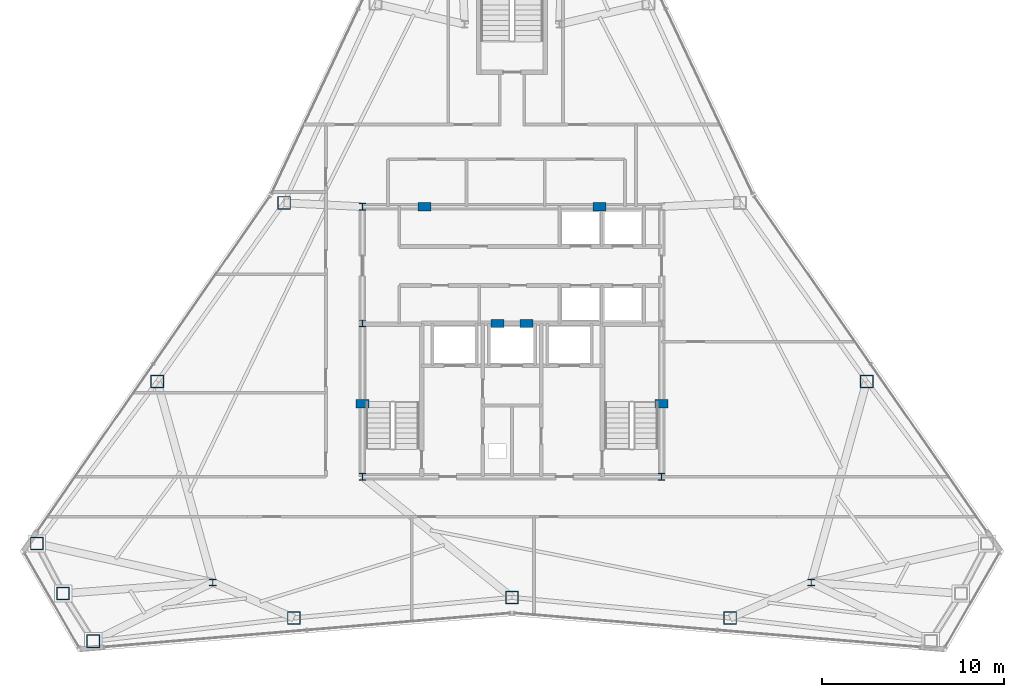
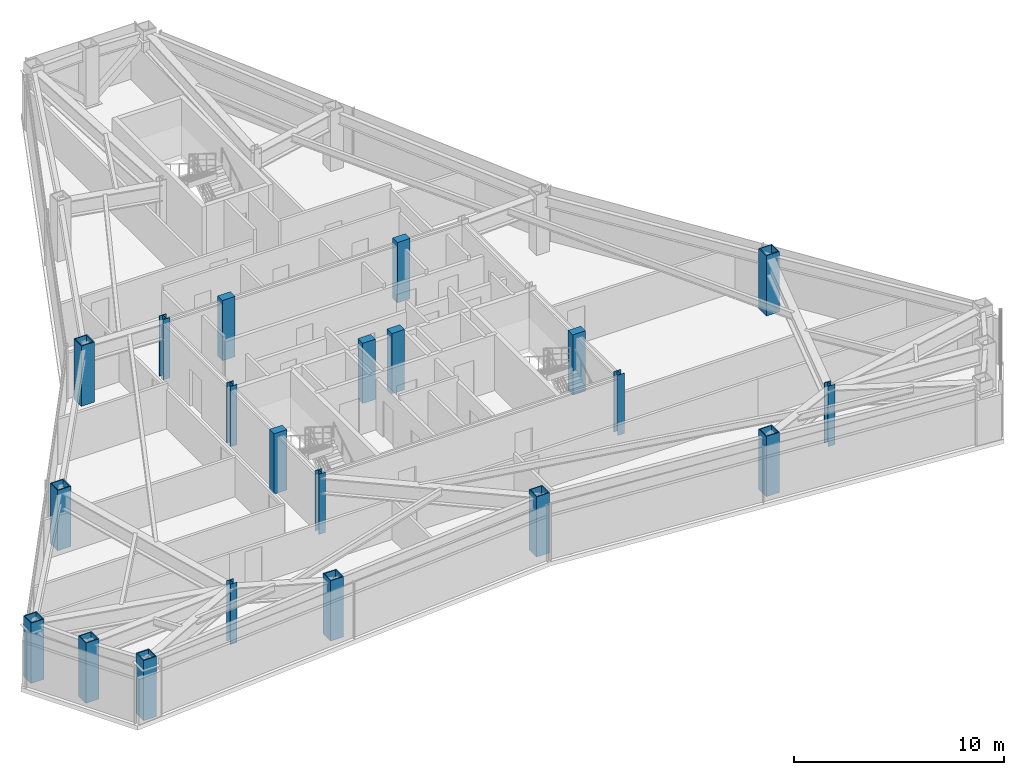
# One storey, part 1 of 12: 21 columns.
"""IFC4 building model written with IfcOpenShell, lengths in metres."""

from ifc_helpers import new_model, si_unit, direction, frame, origin, origin_2d, place, context, subcontext, project, spatial, rectangle, hollow_rectangle, i_section, extrude, material, material_profile, profile_set, type_object, element, save


model = new_model("IFC4")

# Units and contexts
model_context = context("Model", 3, precision=1e-05, world=origin(), true_north=direction((0.0, 1.0)))
body_context = subcontext(model_context, "Body", "Model", "MODEL_VIEW")
ifc_project = project(units=[si_unit("LENGTHUNIT", "METRE"), si_unit("AREAUNIT", "SQUARE_METRE"), si_unit("VOLUMEUNIT", "CUBIC_METRE"), si_unit("PLANEANGLEUNIT", "RADIAN"), si_unit("MASSUNIT", "GRAM", prefix="KILO")], contexts=[model_context])

# Site, building, storey
site_placement = place(None, origin())
site = spatial("IfcSite", under=ifc_project, at=site_placement, CompositionType="ELEMENT")
building_placement = place(site_placement, origin())
building = spatial("IfcBuilding", under=site, at=building_placement, Name="Varakhsha Concourse Tower", CompositionType="ELEMENT")
storey_placement = place(building_placement, frame((0.0, 0.0, 229.39990234375)))
storey = spatial("IfcBuildingStorey", under=building, at=storey_placement, Name="L65", CompositionType="ELEMENT", Elevation=229.39990234375)

# Columns
ifc_material_1 = material(Name="Structural Steel ASTM A992 Grade 50", Category="steel")
ifc_material_profile_1 = material_profile(ifc_material_1, i_section(OverallWidth=0.3740234375, OverallDepth=0.3720703125, WebThickness=0.01611328125, FlangeThickness=0.02587890625, at=origin_2d()), Name="W14X132")
ifc_profile_set_1 = profile_set([ifc_material_profile_1], Name="Structural Steel ASTM A992 Grade 50")
column_type_1 = type_object("IfcColumnType", Name="CL-CORE-W14X132", PredefinedType="COLUMN", material=ifc_profile_set_1)
for number, where, z_axis, x_axis, name in (
    (1, (31.800048828125, 16.39990234375, 0.0), (0.0, 0.0, 1.0), (1.0, 0.0, 0.0), "L65 Core Column CC-SW"),
    (2, (48.199951171875, 16.39990234375, 0.0), (0.0, 0.0, 1.0), (1.0, 0.0, 0.0), "L65 Core Column CC-SE"),
    (3, (31.800048828125, 24.800048828125, 0.0), (0.0, 0.0, 1.0), (1.0, 0.0, 0.0), "L65 Core Column CC-MW"),
    (4, (31.800048828125, 31.199951171875, 0.0), (0.0, 0.0, 1.0), (1.0, 0.0, 0.0), "L65 Core Column CC-NW"),
    (5, (23.60009765625, 10.60009765625, 0.0), (0.0, 0.0, 1.0), (1.0, 0.0, 0.0), "L65 Core Column SS-W"),
    (6, (56.39990234375, 10.60009765625, 0.0), (0.0, 0.0, 1.0), (1.0, 0.0, 0.0), "L65 Core Column SS-E"),
):
    element("IfcColumn", number, at=place(storey_placement, frame(where, z_axis=z_axis, x_axis=x_axis)), inside=storey, type_object=column_type_1, Name=name, PredefinedType="COLUMN", context=body_context, shape_type="SweptSolid", body=[
        extrude(i_section(OverallWidth=0.3740234375, OverallDepth=0.3720703125, WebThickness=0.01611328125, FlangeThickness=0.02587890625, at=origin_2d()), origin(), (0.0, 0.0, 1.0), 3.5),
    ])
ifc_material_2 = material(Name="Concrete fc 65 MPa", Category="concrete")
ifc_material_profile_2 = material_profile(ifc_material_2, rectangle(XDim=0.699951171875, YDim=0.449951171875, at=origin_2d()), Name="RC 700x450")
ifc_profile_set_2 = profile_set([ifc_material_profile_2], Name="Concrete fc 65 MPa")
column_type_2 = type_object("IfcColumnType", Name="CL-PIL-700X450", PredefinedType="PILASTER", material=ifc_profile_set_2)
for number, where, z_axis, x_axis, name in (
    (7, (31.800048828125, 20.39990234375, 0.0), (0.0, 0.0, 1.0), (1.0, 0.0, 0.0), "L65 Core Boundary Pilaster PIL-W1"),
    (8, (48.199951171875, 20.39990234375, 0.0), (0.0, 0.0, 1.0), (1.0, 0.0, 0.0), "L65 Core Boundary Pilaster PIL-E1"),
    (9, (35.199951171875, 31.199951171875, 0.0), (0.0, 0.0, 1.0), (1.0, 0.0, 0.0), "L65 Core Boundary Pilaster PIL-N1"),
    (10, (44.800048828125, 31.199951171875, 0.0), (0.0, 0.0, 1.0), (1.0, 0.0, 0.0), "L65 Core Boundary Pilaster PIL-N2"),
    (11, (39.199951171875, 24.800048828125, 0.0), (0.0, 0.0, 1.0), (1.0, 0.0, 0.0), "L65 Core Boundary Pilaster PIL-M1"),
    (12, (40.800048828125, 24.800048828125, 0.0), (0.0, 0.0, 1.0), (1.0, 0.0, 0.0), "L65 Core Boundary Pilaster PIL-M2"),
):
    element("IfcColumn", number, at=place(storey_placement, frame(where, z_axis=z_axis, x_axis=x_axis)), inside=storey, type_object=column_type_2, Name=name, PredefinedType="PILASTER", context=body_context, shape_type="SweptSolid", body=[
        extrude(rectangle(XDim=0.699951171875, YDim=0.449951171875, at=origin_2d()), origin(), (0.0, 0.0, 1.0), 3.5),
    ])
ifc_material_3 = material(Name="Structural Steel ASTM A572 Grade 50", Category="steel")
ifc_material_profile_3 = material_profile(ifc_material_3, hollow_rectangle(XDim=0.719970703125, YDim=0.719970703125, WallThickness=0.050048828125, at=origin_2d()), Name="BOX 720x720x50")
ifc_profile_set_3 = profile_set([ifc_material_profile_3], Name="Structural Steel ASTM A572 Grade 50")
column_type_3 = type_object("IfcColumnType", Name="CL-TUBE-720", PredefinedType="COLUMN", material=ifc_profile_set_3)
for number, where, z_axis, x_axis, name in (
    (13, (27.510009765625, 31.4111328125, 0.0), (0.0, 0.0, 1.0), (1.0, 0.0, 0.0), "L65 Framed-Tube Column TC05"),
    (14, (20.553466796875, 21.617919921875, 0.0), (0.0, 0.0, 1.0), (1.0, 0.0, 0.0), "L65 Framed-Tube Column TC06"),
    (15, (13.953857421875, 12.73046875, 0.0), (0.0, 0.0, 1.0), (1.0, 0.0, 0.0), "L65 Framed-Tube Column TC07"),
    (16, (15.389892578125, 9.9912109375, 0.0), (0.0, 0.0, 1.0), (1.0, 0.0, 0.0), "L65 Framed-Tube Column TC08"),
    (17, (17.0439453125, 7.378173828125, 0.0), (0.0, 0.0, 1.0), (1.0, 0.0, 0.0), "L65 Framed-Tube Column TC09"),
    (18, (28.04052734375, 8.64990234375, 0.0), (0.0, 0.0, 1.0), (1.0, 0.0, 0.0), "L65 Framed-Tube Column TC10"),
    (19, (40.0, 9.77783203125, 0.0), (0.0, 0.0, 1.0), (1.0, 0.0, 0.0), "L65 Framed-Tube Column TC11"),
    (20, (51.95947265625, 8.64990234375, 0.0), (0.0, 0.0, 1.0), (1.0, 0.0, 0.0), "L65 Framed-Tube Column TC12"),
    (21, (59.446533203125, 21.617919921875, 0.0), (0.0, 0.0, 1.0), (1.0, 0.0, 0.0), "L65 Framed-Tube Column TC16"),
):
    element("IfcColumn", number, at=place(storey_placement, frame(where, z_axis=z_axis, x_axis=x_axis)), inside=storey, type_object=column_type_3, Name=name, PredefinedType="COLUMN", context=body_context, shape_type="SweptSolid", body=[
        extrude(hollow_rectangle(XDim=0.719970703125, YDim=0.719970703125, WallThickness=0.050048828125, at=origin_2d()), origin(), (0.0, 0.0, 1.0), 3.5),
    ])

save(model, "model.ifc")
